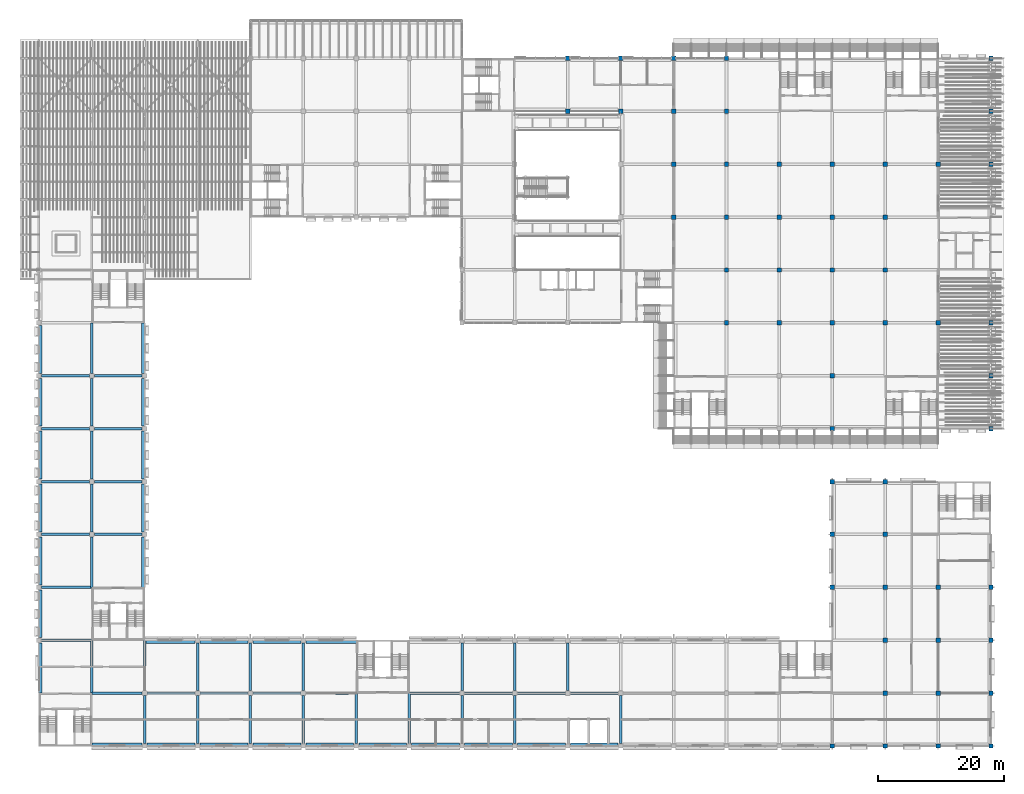
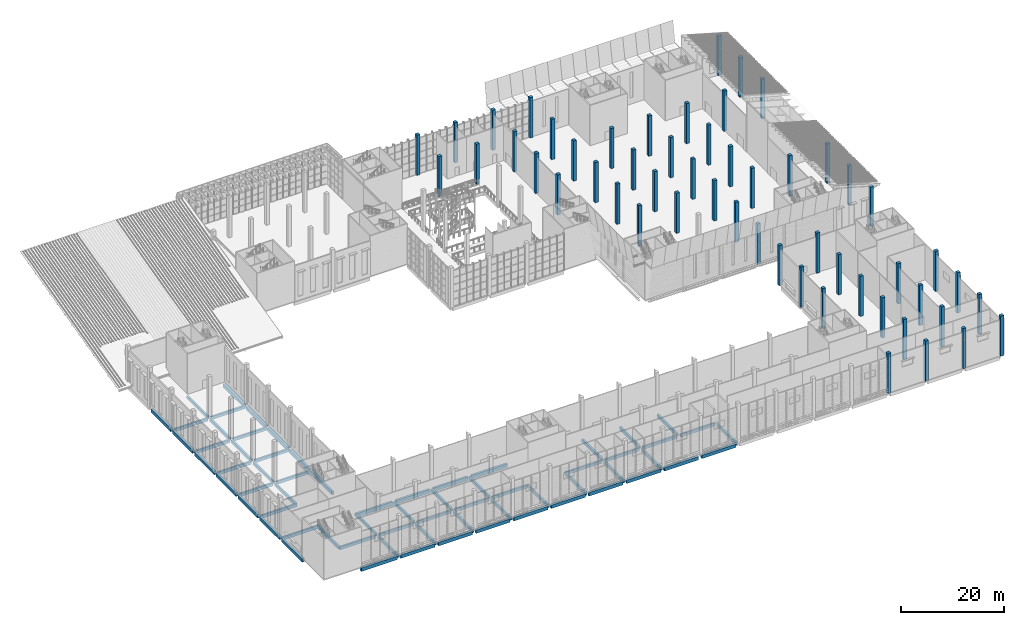
# One storey, part 3 of 114: 67 beams, 54 columns.
"""IFC4 building model written with IfcOpenShell, lengths in metres."""

from ifc_helpers import new_model, si_unit, direction, frame, origin, origin_2d, place, context, subcontext, project, spatial, rectangle, extrude, material, material_profile, profile_set, type_object, element, save


model = new_model("IFC4")

# Units and contexts
model_context = context("Model", 3, precision=1e-05, world=origin(), true_north=direction((0.0, 1.0)))
body_context = subcontext(model_context, "Body", "Model", "MODEL_VIEW")
ifc_project = project(units=[si_unit("LENGTHUNIT", "METRE"), si_unit("AREAUNIT", "SQUARE_METRE"), si_unit("VOLUMEUNIT", "CUBIC_METRE"), si_unit("PLANEANGLEUNIT", "RADIAN"), si_unit("MASSUNIT", "GRAM", prefix="KILO")], contexts=[model_context])

# Site, building, storey
site_placement = place(None, origin())
site = spatial("IfcSite", under=ifc_project, at=site_placement, CompositionType="ELEMENT")
building_placement = place(site_placement, origin())
building = spatial("IfcBuilding", under=site, at=building_placement, Name="Almond Square Museum", CompositionType="ELEMENT")
storey_placement = place(building_placement, frame((0.0, 0.0, 10.5)))
storey = spatial("IfcBuildingStorey", under=building, at=storey_placement, Name="L02", CompositionType="ELEMENT", Elevation=10.5)

# Columns
ifc_material_1 = material(Name="Concrete C40/50", Category="concrete")
ifc_material_profile_1 = material_profile(ifc_material_1, rectangle(XDim=0.699951171875, YDim=0.699951171875, at=origin_2d()))
ifc_profile_set_1 = profile_set([ifc_material_profile_1], Name="Concrete C40/50")
column_type = type_object("IfcColumnType", Name="RC column 700 x 700 C40/50", PredefinedType="COLUMN", material=ifc_profile_set_1)
for number, where, z_axis, x_axis, name in (
    (1, (90.0, 100.800048828125, 0.0), (0.0, 0.0, 1.0), (1.0, 0.0, 0.0), "Column 12-M L02"),
    (2, (90.0, 109.199951171875, 0.0), (0.0, 0.0, 1.0), (1.0, 0.0, 0.0), "Column 12-N L02"),
    (3, (98.39990234375, 100.800048828125, 0.0), (0.0, 0.0, 1.0), (1.0, 0.0, 0.0), "Column 13-M L02"),
    (4, (98.39990234375, 109.199951171875, 0.0), (0.0, 0.0, 1.0), (1.0, 0.0, 0.0), "Column 13-N L02"),
    (5, (106.800048828125, 84.0, 0.0), (0.0, 0.0, 1.0), (1.0, 0.0, 0.0), "Column 14-K L02"),
    (6, (106.800048828125, 92.39990234375, 0.0), (0.0, 0.0, 1.0), (1.0, 0.0, 0.0), "Column 14-L L02"),
    (7, (106.800048828125, 100.800048828125, 0.0), (0.0, 0.0, 1.0), (1.0, 0.0, 0.0), "Column 14-M L02"),
    (8, (106.800048828125, 109.199951171875, 0.0), (0.0, 0.0, 1.0), (1.0, 0.0, 0.0), "Column 14-N L02"),
    (9, (115.199951171875, 67.199951171875, 0.0), (0.0, 0.0, 1.0), (1.0, 0.0, 0.0), "Column 15-I L02"),
    (10, (115.199951171875, 75.60009765625, 0.0), (0.0, 0.0, 1.0), (1.0, 0.0, 0.0), "Column 15-J L02"),
    (11, (115.199951171875, 84.0, 0.0), (0.0, 0.0, 1.0), (1.0, 0.0, 0.0), "Column 15-K L02"),
    (12, (115.199951171875, 92.39990234375, 0.0), (0.0, 0.0, 1.0), (1.0, 0.0, 0.0), "Column 15-L L02"),
    (13, (115.199951171875, 100.800048828125, 0.0), (0.0, 0.0, 1.0), (1.0, 0.0, 0.0), "Column 15-M L02"),
    (14, (115.199951171875, 109.199951171875, 0.0), (0.0, 0.0, 1.0), (1.0, 0.0, 0.0), "Column 15-N L02"),
    (15, (123.60009765625, 67.199951171875, 0.0), (0.0, 0.0, 1.0), (1.0, 0.0, 0.0), "Column 16-I L02"),
    (16, (123.60009765625, 75.60009765625, 0.0), (0.0, 0.0, 1.0), (1.0, 0.0, 0.0), "Column 16-J L02"),
    (17, (123.60009765625, 84.0, 0.0), (0.0, 0.0, 1.0), (1.0, 0.0, 0.0), "Column 16-K L02"),
    (18, (123.60009765625, 92.39990234375, 0.0), (0.0, 0.0, 1.0), (1.0, 0.0, 0.0), "Column 16-L L02"),
    (19, (132.0, 0.0, 0.0), (0.0, 0.0, 1.0), (1.0, 0.0, 0.0), "Column 17-A L02"),
    (20, (132.0, 25.199951171875, 0.0), (0.0, 0.0, 1.0), (1.0, 0.0, 0.0), "Column 17-D L02"),
    (21, (132.0, 33.60009765625, 0.0), (0.0, 0.0, 1.0), (1.0, 0.0, 0.0), "Column 17-E L02"),
    (22, (132.0, 42.0, 0.0), (0.0, 0.0, 1.0), (1.0, 0.0, 0.0), "Column 17-F L02"),
    (23, (132.0, 50.39990234375, 0.0), (0.0, 0.0, 1.0), (1.0, 0.0, 0.0), "Column 17-G L02"),
    (24, (132.0, 58.800048828125, 0.0), (0.0, 0.0, 1.0), (1.0, 0.0, 0.0), "Column 17-H L02"),
    (25, (132.0, 67.199951171875, 0.0), (0.0, 0.0, 1.0), (1.0, 0.0, 0.0), "Column 17-I L02"),
    (26, (132.0, 75.60009765625, 0.0), (0.0, 0.0, 1.0), (1.0, 0.0, 0.0), "Column 17-J L02"),
    (27, (132.0, 84.0, 0.0), (0.0, 0.0, 1.0), (1.0, 0.0, 0.0), "Column 17-K L02"),
    (28, (132.0, 92.39990234375, 0.0), (0.0, 0.0, 1.0), (1.0, 0.0, 0.0), "Column 17-L L02"),
    (29, (140.39990234375, 0.0, 0.0), (0.0, 0.0, 1.0), (1.0, 0.0, 0.0), "Column 18-A L02"),
    (30, (140.39990234375, 8.39990234375, 0.0), (0.0, 0.0, 1.0), (1.0, 0.0, 0.0), "Column 18-B L02"),
    (31, (140.39990234375, 16.800048828125, 0.0), (0.0, 0.0, 1.0), (1.0, 0.0, 0.0), "Column 18-C L02"),
    (32, (140.39990234375, 25.199951171875, 0.0), (0.0, 0.0, 1.0), (1.0, 0.0, 0.0), "Column 18-D L02"),
    (33, (140.39990234375, 33.60009765625, 0.0), (0.0, 0.0, 1.0), (1.0, 0.0, 0.0), "Column 18-E L02"),
    (34, (140.39990234375, 42.0, 0.0), (0.0, 0.0, 1.0), (1.0, 0.0, 0.0), "Column 18-F L02"),
    (35, (140.39990234375, 67.199951171875, 0.0), (0.0, 0.0, 1.0), (1.0, 0.0, 0.0), "Column 18-I L02"),
    (36, (140.39990234375, 75.60009765625, 0.0), (0.0, 0.0, 1.0), (1.0, 0.0, 0.0), "Column 18-J L02"),
    (37, (140.39990234375, 84.0, 0.0), (0.0, 0.0, 1.0), (1.0, 0.0, 0.0), "Column 18-K L02"),
    (38, (140.39990234375, 92.39990234375, 0.0), (0.0, 0.0, 1.0), (1.0, 0.0, 0.0), "Column 18-L L02"),
    (39, (148.800048828125, 0.0, 0.0), (0.0, 0.0, 1.0), (1.0, 0.0, 0.0), "Column 19-A L02"),
    (40, (148.800048828125, 8.39990234375, 0.0), (0.0, 0.0, 1.0), (1.0, 0.0, 0.0), "Column 19-B L02"),
    (41, (148.800048828125, 16.800048828125, 0.0), (0.0, 0.0, 1.0), (1.0, 0.0, 0.0), "Column 19-C L02"),
    (42, (148.800048828125, 25.199951171875, 0.0), (0.0, 0.0, 1.0), (1.0, 0.0, 0.0), "Column 19-D L02"),
    (43, (148.800048828125, 67.199951171875, 0.0), (0.0, 0.0, 1.0), (1.0, 0.0, 0.0), "Column 19-I L02"),
    (44, (148.800048828125, 92.39990234375, 0.0), (0.0, 0.0, 1.0), (1.0, 0.0, 0.0), "Column 19-L L02"),
    (45, (157.199951171875, 0.0, 0.0), (0.0, 0.0, 1.0), (1.0, 0.0, 0.0), "Column 20-A L02"),
    (46, (157.199951171875, 8.39990234375, 0.0), (0.0, 0.0, 1.0), (1.0, 0.0, 0.0), "Column 20-B L02"),
    (47, (157.199951171875, 16.800048828125, 0.0), (0.0, 0.0, 1.0), (1.0, 0.0, 0.0), "Column 20-C L02"),
    (48, (157.199951171875, 25.199951171875, 0.0), (0.0, 0.0, 1.0), (1.0, 0.0, 0.0), "Column 20-D L02"),
):
    element("IfcColumn", number, at=place(storey_placement, frame(where, z_axis=z_axis, x_axis=x_axis)), inside=storey, type_object=column_type, Name=name, PredefinedType="COLUMN", context=body_context, shape_type="SweptSolid", body=[
        extrude(rectangle(XDim=0.699951171875, YDim=0.699951171875, at=origin_2d()), origin(), (0.0, 0.0, 1.0), 9.5),
    ])
for number, where, z_axis, x_axis, name in (
    (49, (157.199951171875, 50.39990234375, 0.0), (0.0, 0.0, 1.0), (1.0, 0.0, 0.0), "Column 20-G L02"),
    (50, (157.199951171875, 58.800048828125, 0.0), (0.0, 0.0, 1.0), (1.0, 0.0, 0.0), "Column 20-H L02"),
    (51, (157.199951171875, 67.199951171875, 0.0), (0.0, 0.0, 1.0), (1.0, 0.0, 0.0), "Column 20-I L02"),
    (52, (157.199951171875, 92.39990234375, 0.0), (0.0, 0.0, 1.0), (1.0, 0.0, 0.0), "Column 20-L L02"),
    (53, (157.199951171875, 100.800048828125, 0.0), (0.0, 0.0, 1.0), (1.0, 0.0, 0.0), "Column 20-M L02"),
    (54, (157.199951171875, 109.199951171875, 0.0), (0.0, 0.0, 1.0), (1.0, 0.0, 0.0), "Column 20-N L02"),
):
    element("IfcColumn", number, at=place(storey_placement, frame(where, z_axis=z_axis, x_axis=x_axis)), inside=storey, type_object=column_type, Name=name, PredefinedType="COLUMN", context=body_context, shape_type="SweptSolid", body=[
        extrude(rectangle(XDim=0.699951171875, YDim=0.699951171875, at=origin_2d()), origin(), (0.0, 0.0, 1.0), 9.342529296875),
    ])

# Beams
ifc_material_2 = material(Name="Concrete C40/50", Category="concrete")
ifc_material_profile_2 = material_profile(ifc_material_2, rectangle(XDim=0.39990234375, YDim=0.699951171875, at=origin_2d()))
ifc_profile_set_2 = profile_set([ifc_material_profile_2], Name="Concrete C40/50")
beam_type_1 = type_object("IfcBeamType", Name="RC beam 400 x 700 C40/50", PredefinedType="BEAM", material=ifc_profile_set_2)
beam_1_placement = place(storey_placement, frame((14.39990234375, 8.39990234375, -0.60009765625), z_axis=(1.0, 0.0, 0.0), x_axis=(0.0, 1.0, 0.0)))
element("IfcBeam", 55, at=beam_1_placement, inside=storey, type_object=beam_type_1, Name="Beam B 3-4 L02", PredefinedType="BEAM", context=body_context, shape_type="SweptSolid", body=[
    extrude(rectangle(XDim=0.39990234375, YDim=0.699951171875, at=origin_2d()), origin(), (0.0, 0.0, 1.0), 8.0),
])
beam_2_placement = place(storey_placement, frame((23.199951171875, 8.39990234375, -0.60009765625), z_axis=(1.0, 0.0, 0.0), x_axis=(0.0, 1.0, 0.0)))
element("IfcBeam", 56, at=beam_2_placement, inside=storey, type_object=beam_type_1, Name="Beam B 4-5 L02", PredefinedType="BEAM", context=body_context, shape_type="SweptSolid", body=[
    extrude(rectangle(XDim=0.39990234375, YDim=0.699951171875, at=origin_2d()), origin(), (0.0, 0.0, 1.0), 7.60009765625),
])
beam_3_placement = place(storey_placement, frame((31.60009765625, 8.39990234375, -0.60009765625), z_axis=(1.0, 0.0, 0.0), x_axis=(0.0, 1.0, 0.0)))
element("IfcBeam", 57, at=beam_3_placement, inside=storey, type_object=beam_type_1, Name="Beam B 5-6 L02", PredefinedType="BEAM", context=body_context, shape_type="SweptSolid", body=[
    extrude(rectangle(XDim=0.39990234375, YDim=0.699951171875, at=origin_2d()), origin(), (0.0, 0.0, 1.0), 7.599853515625),
])
beam_4_placement = place(storey_placement, frame((40.0, 8.39990234375, -0.60009765625), z_axis=(1.0, 0.0, 0.0), x_axis=(0.0, 1.0, 0.0)))
element("IfcBeam", 58, at=beam_4_placement, inside=storey, type_object=beam_type_1, Name="Beam B 6-7 L02", PredefinedType="BEAM", context=body_context, shape_type="SweptSolid", body=[
    extrude(rectangle(XDim=0.39990234375, YDim=0.699951171875, at=origin_2d()), origin(), (0.0, 0.0, 1.0), 7.60009765625),
])
for number, where, z_axis, x_axis, name in (
    (59, (48.39990234375, 8.39990234375, -0.60009765625), (1.0, 0.0, 0.0), (0.0, 1.0, 0.0), "Beam B 7-8 L02"),
    (60, (64.800048828125, 8.39990234375, -0.60009765625), (1.0, 0.0, 0.0), (0.0, 1.0, 0.0), "Beam B 9-10 L02"),
):
    element("IfcBeam", number, at=place(storey_placement, frame(where, z_axis=z_axis, x_axis=x_axis)), inside=storey, type_object=beam_type_1, Name=name, PredefinedType="BEAM", context=body_context, shape_type="SweptSolid", body=[
        extrude(rectangle(XDim=0.39990234375, YDim=0.699951171875, at=origin_2d()), origin(), (0.0, 0.0, 1.0), 8.0),
    ])
beam_5_placement = place(storey_placement, frame((73.60009765625, 8.39990234375, -0.60009765625), z_axis=(1.0, 0.0, 0.0), x_axis=(0.0, 1.0, 0.0)))
element("IfcBeam", 61, at=beam_5_placement, inside=storey, type_object=beam_type_1, Name="Beam B 10-11 L02", PredefinedType="BEAM", context=body_context, shape_type="SweptSolid", body=[
    extrude(rectangle(XDim=0.39990234375, YDim=0.699951171875, at=origin_2d()), origin(), (0.0, 0.0, 1.0), 7.599853515625),
])
for number, where, z_axis, x_axis, name in (
    (62, (82.0, 8.39990234375, -0.60009765625), (1.0, 0.0, 0.0), (0.0, 1.0, 0.0), "Beam B 11-12 L02"),
    (63, (90.39990234375, 8.39990234375, -0.60009765625), (1.0, 0.0, 0.0), (0.0, 1.0, 0.0), "Beam B 12-13 L02"),
):
    element("IfcBeam", number, at=place(storey_placement, frame(where, z_axis=z_axis, x_axis=x_axis)), inside=storey, type_object=beam_type_1, Name=name, PredefinedType="BEAM", context=body_context, shape_type="SweptSolid", body=[
        extrude(rectangle(XDim=0.39990234375, YDim=0.699951171875, at=origin_2d()), origin(), (0.0, 0.0, 1.0), 7.60009765625),
    ])
for number, where, z_axis, x_axis, name in (
    (64, (6.39990234375, 16.800048828125, -0.60009765625), (1.0, 0.0, 0.0), (0.0, 1.0, 0.0), "Beam C 2-3 L02"),
    (65, (6.39990234375, 25.199951171875, -0.60009765625), (1.0, 0.0, 0.0), (0.0, 1.0, 0.0), "Beam D 2-3 L02"),
):
    element("IfcBeam", number, at=place(storey_placement, frame(where, z_axis=z_axis, x_axis=x_axis)), inside=storey, type_object=beam_type_1, Name=name, PredefinedType="BEAM", context=body_context, shape_type="SweptSolid", body=[
        extrude(rectangle(XDim=0.39990234375, YDim=0.699951171875, at=origin_2d()), origin(), (0.0, 0.0, 1.0), 8.0),
    ])
beam_6_placement = place(storey_placement, frame((6.39990234375, 33.60009765625, -0.60009765625), z_axis=(1.0, 0.0, 0.0), x_axis=(0.0, 1.0, 0.0)))
element("IfcBeam", 66, at=beam_6_placement, inside=storey, type_object=beam_type_1, Name="Beam E 2-3 L02", PredefinedType="BEAM", context=body_context, shape_type="SweptSolid", body=[
    extrude(rectangle(XDim=0.39990234375, YDim=0.699951171875, at=origin_2d()), origin(), (0.0, 0.0, 1.0), 7.60009765625),
])
beam_7_placement = place(storey_placement, frame((14.800048828125, 33.60009765625, -0.60009765625), z_axis=(1.0, 0.0, 0.0), x_axis=(0.0, 1.0, 0.0)))
element("IfcBeam", 67, at=beam_7_placement, inside=storey, type_object=beam_type_1, Name="Beam E 3-4 L02", PredefinedType="BEAM", context=body_context, shape_type="SweptSolid", body=[
    extrude(rectangle(XDim=0.39990234375, YDim=0.699951171875, at=origin_2d()), origin(), (0.0, 0.0, 1.0), 7.599853515625),
])
beam_8_placement = place(storey_placement, frame((6.39990234375, 42.0, -0.60009765625), z_axis=(1.0, 0.0, 0.0), x_axis=(0.0, 1.0, 0.0)))
element("IfcBeam", 68, at=beam_8_placement, inside=storey, type_object=beam_type_1, Name="Beam F 2-3 L02", PredefinedType="BEAM", context=body_context, shape_type="SweptSolid", body=[
    extrude(rectangle(XDim=0.39990234375, YDim=0.699951171875, at=origin_2d()), origin(), (0.0, 0.0, 1.0), 7.60009765625),
])
beam_9_placement = place(storey_placement, frame((14.800048828125, 42.0, -0.60009765625), z_axis=(1.0, 0.0, 0.0), x_axis=(0.0, 1.0, 0.0)))
element("IfcBeam", 69, at=beam_9_placement, inside=storey, type_object=beam_type_1, Name="Beam F 3-4 L02", PredefinedType="BEAM", context=body_context, shape_type="SweptSolid", body=[
    extrude(rectangle(XDim=0.39990234375, YDim=0.699951171875, at=origin_2d()), origin(), (0.0, 0.0, 1.0), 7.599853515625),
])
beam_10_placement = place(storey_placement, frame((6.39990234375, 50.39990234375, -0.60009765625), z_axis=(1.0, 0.0, 0.0), x_axis=(0.0, 1.0, 0.0)))
element("IfcBeam", 70, at=beam_10_placement, inside=storey, type_object=beam_type_1, Name="Beam G 2-3 L02", PredefinedType="BEAM", context=body_context, shape_type="SweptSolid", body=[
    extrude(rectangle(XDim=0.39990234375, YDim=0.699951171875, at=origin_2d()), origin(), (0.0, 0.0, 1.0), 7.60009765625),
])
beam_11_placement = place(storey_placement, frame((14.800048828125, 50.39990234375, -0.60009765625), z_axis=(1.0, 0.0, 0.0), x_axis=(0.0, 1.0, 0.0)))
element("IfcBeam", 71, at=beam_11_placement, inside=storey, type_object=beam_type_1, Name="Beam G 3-4 L02", PredefinedType="BEAM", context=body_context, shape_type="SweptSolid", body=[
    extrude(rectangle(XDim=0.39990234375, YDim=0.699951171875, at=origin_2d()), origin(), (0.0, 0.0, 1.0), 7.599853515625),
])
beam_12_placement = place(storey_placement, frame((6.39990234375, 58.800048828125, -0.60009765625), z_axis=(1.0, 0.0, 0.0), x_axis=(0.0, 1.0, 0.0)))
element("IfcBeam", 72, at=beam_12_placement, inside=storey, type_object=beam_type_1, Name="Beam H 2-3 L02", PredefinedType="BEAM", context=body_context, shape_type="SweptSolid", body=[
    extrude(rectangle(XDim=0.39990234375, YDim=0.699951171875, at=origin_2d()), origin(), (0.0, 0.0, 1.0), 7.60009765625),
])
beam_13_placement = place(storey_placement, frame((14.800048828125, 58.800048828125, -0.60009765625), z_axis=(1.0, 0.0, 0.0), x_axis=(0.0, 1.0, 0.0)))
element("IfcBeam", 73, at=beam_13_placement, inside=storey, type_object=beam_type_1, Name="Beam H 3-4 L02", PredefinedType="BEAM", context=body_context, shape_type="SweptSolid", body=[
    extrude(rectangle(XDim=0.39990234375, YDim=0.699951171875, at=origin_2d()), origin(), (0.0, 0.0, 1.0), 7.599853515625),
])
beam_14_placement = place(storey_placement, frame((14.39990234375, 8.39990234375, -0.60009765625), z_axis=(0.0, 1.0, 0.0), x_axis=(-1.0, 0.0, 0.0)))
element("IfcBeam", 74, at=beam_14_placement, inside=storey, type_object=beam_type_1, Name="Beam 3 B-C L02", PredefinedType="BEAM", context=body_context, shape_type="SweptSolid", body=[
    extrude(rectangle(XDim=0.39990234375, YDim=0.699951171875, at=origin_2d()), origin(), (0.0, 0.0, 1.0), 8.400146484375),
])
beam_15_placement = place(storey_placement, frame((14.39990234375, 25.199951171875, -0.60009765625), z_axis=(0.0, 1.0, 0.0), x_axis=(-1.0, 0.0, 0.0)))
element("IfcBeam", 75, at=beam_15_placement, inside=storey, type_object=beam_type_1, Name="Beam 3 D-E L02", PredefinedType="BEAM", context=body_context, shape_type="SweptSolid", body=[
    extrude(rectangle(XDim=0.39990234375, YDim=0.699951171875, at=origin_2d()), origin(), (0.0, 0.0, 1.0), 8.0),
])
for number, where, z_axis, x_axis, name in (
    (76, (14.39990234375, 34.0, -0.60009765625), (0.0, 1.0, 0.0), (-1.0, 0.0, 0.0), "Beam 3 E-F L02"),
    (77, (14.39990234375, 42.39990234375, -0.60009765625), (0.0, 1.0, 0.0), (-1.0, 0.0, 0.0), "Beam 3 F-G L02"),
):
    element("IfcBeam", number, at=place(storey_placement, frame(where, z_axis=z_axis, x_axis=x_axis)), inside=storey, type_object=beam_type_1, Name=name, PredefinedType="BEAM", context=body_context, shape_type="SweptSolid", body=[
        extrude(rectangle(XDim=0.39990234375, YDim=0.699951171875, at=origin_2d()), origin(), (0.0, 0.0, 1.0), 7.60009765625),
    ])
beam_16_placement = place(storey_placement, frame((14.39990234375, 50.800048828125, -0.60009765625), z_axis=(0.0, 1.0, 0.0), x_axis=(-1.0, 0.0, 0.0)))
element("IfcBeam", 78, at=beam_16_placement, inside=storey, type_object=beam_type_1, Name="Beam 3 G-H L02", PredefinedType="BEAM", context=body_context, shape_type="SweptSolid", body=[
    extrude(rectangle(XDim=0.39990234375, YDim=0.699951171875, at=origin_2d()), origin(), (0.0, 0.0, 1.0), 7.599853515625),
])
beam_17_placement = place(storey_placement, frame((14.39990234375, 59.199951171875, -0.60009765625), z_axis=(0.0, 1.0, 0.0), x_axis=(-1.0, 0.0, 0.0)))
element("IfcBeam", 79, at=beam_17_placement, inside=storey, type_object=beam_type_1, Name="Beam 3 H-I L02", PredefinedType="BEAM", context=body_context, shape_type="SweptSolid", body=[
    extrude(rectangle(XDim=0.39990234375, YDim=0.699951171875, at=origin_2d()), origin(), (0.0, 0.0, 1.0), 8.0),
])
beam_18_placement = place(storey_placement, frame((22.800048828125, 0.39990234375, -0.60009765625), z_axis=(0.0, 1.0, 0.0), x_axis=(-1.0, 0.0, 0.0)))
element("IfcBeam", 80, at=beam_18_placement, inside=storey, type_object=beam_type_1, Name="Beam 4 A-B L02", PredefinedType="BEAM", context=body_context, shape_type="SweptSolid", body=[
    extrude(rectangle(XDim=0.39990234375, YDim=0.699951171875, at=origin_2d()), origin(), (0.0, 0.0, 1.0), 7.60009765625),
])
beam_19_placement = place(storey_placement, frame((22.800048828125, 8.800048828125, -0.60009765625), z_axis=(0.0, 1.0, 0.0), x_axis=(-1.0, 0.0, 0.0)))
element("IfcBeam", 81, at=beam_19_placement, inside=storey, type_object=beam_type_1, Name="Beam 4 B-C L02", PredefinedType="BEAM", context=body_context, shape_type="SweptSolid", body=[
    extrude(rectangle(XDim=0.39990234375, YDim=0.699951171875, at=origin_2d()), origin(), (0.0, 0.0, 1.0), 8.0),
])
beam_20_placement = place(storey_placement, frame((31.199951171875, 0.39990234375, -0.60009765625), z_axis=(0.0, 1.0, 0.0), x_axis=(-1.0, 0.0, 0.0)))
element("IfcBeam", 82, at=beam_20_placement, inside=storey, type_object=beam_type_1, Name="Beam 5 A-B L02", PredefinedType="BEAM", context=body_context, shape_type="SweptSolid", body=[
    extrude(rectangle(XDim=0.39990234375, YDim=0.699951171875, at=origin_2d()), origin(), (0.0, 0.0, 1.0), 7.60009765625),
])
beam_21_placement = place(storey_placement, frame((31.199951171875, 8.800048828125, -0.60009765625), z_axis=(0.0, 1.0, 0.0), x_axis=(-1.0, 0.0, 0.0)))
element("IfcBeam", 83, at=beam_21_placement, inside=storey, type_object=beam_type_1, Name="Beam 5 B-C L02", PredefinedType="BEAM", context=body_context, shape_type="SweptSolid", body=[
    extrude(rectangle(XDim=0.39990234375, YDim=0.699951171875, at=origin_2d()), origin(), (0.0, 0.0, 1.0), 7.599853515625),
])
beam_22_placement = place(storey_placement, frame((39.60009765625, 0.39990234375, -0.60009765625), z_axis=(0.0, 1.0, 0.0), x_axis=(-1.0, 0.0, 0.0)))
element("IfcBeam", 84, at=beam_22_placement, inside=storey, type_object=beam_type_1, Name="Beam 6 A-B L02", PredefinedType="BEAM", context=body_context, shape_type="SweptSolid", body=[
    extrude(rectangle(XDim=0.39990234375, YDim=0.699951171875, at=origin_2d()), origin(), (0.0, 0.0, 1.0), 7.60009765625),
])
beam_23_placement = place(storey_placement, frame((39.60009765625, 8.800048828125, -0.60009765625), z_axis=(0.0, 1.0, 0.0), x_axis=(-1.0, 0.0, 0.0)))
element("IfcBeam", 85, at=beam_23_placement, inside=storey, type_object=beam_type_1, Name="Beam 6 B-C L02", PredefinedType="BEAM", context=body_context, shape_type="SweptSolid", body=[
    extrude(rectangle(XDim=0.39990234375, YDim=0.699951171875, at=origin_2d()), origin(), (0.0, 0.0, 1.0), 7.599853515625),
])
beam_24_placement = place(storey_placement, frame((48.0, 0.39990234375, -0.60009765625), z_axis=(0.0, 1.0, 0.0), x_axis=(-1.0, 0.0, 0.0)))
element("IfcBeam", 86, at=beam_24_placement, inside=storey, type_object=beam_type_1, Name="Beam 7 A-B L02", PredefinedType="BEAM", context=body_context, shape_type="SweptSolid", body=[
    extrude(rectangle(XDim=0.39990234375, YDim=0.699951171875, at=origin_2d()), origin(), (0.0, 0.0, 1.0), 7.60009765625),
])
beam_25_placement = place(storey_placement, frame((48.0, 8.800048828125, -0.60009765625), z_axis=(0.0, 1.0, 0.0), x_axis=(-1.0, 0.0, 0.0)))
element("IfcBeam", 87, at=beam_25_placement, inside=storey, type_object=beam_type_1, Name="Beam 7 B-C L02", PredefinedType="BEAM", context=body_context, shape_type="SweptSolid", body=[
    extrude(rectangle(XDim=0.39990234375, YDim=0.699951171875, at=origin_2d()), origin(), (0.0, 0.0, 1.0), 7.599853515625),
])
for number, where, z_axis, x_axis, name in (
    (88, (56.39990234375, 0.39990234375, -0.60009765625), (0.0, 1.0, 0.0), (-1.0, 0.0, 0.0), "Beam 8 A-B L02"),
    (89, (64.800048828125, 0.39990234375, -0.60009765625), (0.0, 1.0, 0.0), (-1.0, 0.0, 0.0), "Beam 9 A-B L02"),
):
    element("IfcBeam", number, at=place(storey_placement, frame(where, z_axis=z_axis, x_axis=x_axis)), inside=storey, type_object=beam_type_1, Name=name, PredefinedType="BEAM", context=body_context, shape_type="SweptSolid", body=[
        extrude(rectangle(XDim=0.39990234375, YDim=0.699951171875, at=origin_2d()), origin(), (0.0, 0.0, 1.0), 8.0),
    ])
beam_26_placement = place(storey_placement, frame((73.199951171875, 0.39990234375, -0.60009765625), z_axis=(0.0, 1.0, 0.0), x_axis=(-1.0, 0.0, 0.0)))
element("IfcBeam", 90, at=beam_26_placement, inside=storey, type_object=beam_type_1, Name="Beam 10 A-B L02", PredefinedType="BEAM", context=body_context, shape_type="SweptSolid", body=[
    extrude(rectangle(XDim=0.39990234375, YDim=0.699951171875, at=origin_2d()), origin(), (0.0, 0.0, 1.0), 7.60009765625),
])
beam_27_placement = place(storey_placement, frame((73.199951171875, 8.800048828125, -0.60009765625), z_axis=(0.0, 1.0, 0.0), x_axis=(-1.0, 0.0, 0.0)))
element("IfcBeam", 91, at=beam_27_placement, inside=storey, type_object=beam_type_1, Name="Beam 10 B-C L02", PredefinedType="BEAM", context=body_context, shape_type="SweptSolid", body=[
    extrude(rectangle(XDim=0.39990234375, YDim=0.699951171875, at=origin_2d()), origin(), (0.0, 0.0, 1.0), 7.599853515625),
])
beam_28_placement = place(storey_placement, frame((81.60009765625, 0.39990234375, -0.60009765625), z_axis=(0.0, 1.0, 0.0), x_axis=(-1.0, 0.0, 0.0)))
element("IfcBeam", 92, at=beam_28_placement, inside=storey, type_object=beam_type_1, Name="Beam 11 A-B L02", PredefinedType="BEAM", context=body_context, shape_type="SweptSolid", body=[
    extrude(rectangle(XDim=0.39990234375, YDim=0.699951171875, at=origin_2d()), origin(), (0.0, 0.0, 1.0), 7.60009765625),
])
for number, where, z_axis, x_axis, name in (
    (93, (81.60009765625, 8.800048828125, -0.60009765625), (0.0, 1.0, 0.0), (-1.0, 0.0, 0.0), "Beam 11 B-C L02"),
    (94, (90.0, 8.800048828125, -0.60009765625), (0.0, 1.0, 0.0), (-1.0, 0.0, 0.0), "Beam 12 B-C L02"),
):
    element("IfcBeam", number, at=place(storey_placement, frame(where, z_axis=z_axis, x_axis=x_axis)), inside=storey, type_object=beam_type_1, Name=name, PredefinedType="BEAM", context=body_context, shape_type="SweptSolid", body=[
        extrude(rectangle(XDim=0.39990234375, YDim=0.699951171875, at=origin_2d()), origin(), (0.0, 0.0, 1.0), 7.599853515625),
    ])
beam_29_placement = place(storey_placement, frame((98.39990234375, 0.39990234375, -0.60009765625), z_axis=(0.0, 1.0, 0.0), x_axis=(-1.0, 0.0, 0.0)))
element("IfcBeam", 95, at=beam_29_placement, inside=storey, type_object=beam_type_1, Name="Beam 13 A-B L02", PredefinedType="BEAM", context=body_context, shape_type="SweptSolid", body=[
    extrude(rectangle(XDim=0.39990234375, YDim=0.699951171875, at=origin_2d()), origin(), (0.0, 0.0, 1.0), 7.60009765625),
])
ifc_material_3 = material(Name="Concrete C40/50", Category="concrete")
ifc_material_profile_3 = material_profile(ifc_material_3, rectangle(XDim=0.5, YDim=0.800048828125, at=origin_2d()))
ifc_profile_set_3 = profile_set([ifc_material_profile_3], Name="Concrete C40/50")
beam_type_2 = type_object("IfcBeamType", Name="RC edge beam 500 x 800 C40/50", PredefinedType="BEAM", material=ifc_profile_set_3)
beam_30_placement = place(storey_placement, frame((14.39990234375, 0.25, -0.64990234375), z_axis=(1.0, 0.0, 0.0), x_axis=(0.0, 1.0, 0.0)))
element("IfcBeam", 96, at=beam_30_placement, inside=storey, type_object=beam_type_2, Name="Edge beam A 3-4 L02", PredefinedType="BEAM", context=body_context, shape_type="SweptSolid", body=[
    extrude(rectangle(XDim=0.5, YDim=0.800048828125, at=origin_2d()), origin(), (0.0, 0.0, 1.0), 8.0),
])
beam_31_placement = place(storey_placement, frame((23.199951171875, 0.25, -0.64990234375), z_axis=(1.0, 0.0, 0.0), x_axis=(0.0, 1.0, 0.0)))
element("IfcBeam", 97, at=beam_31_placement, inside=storey, type_object=beam_type_2, Name="Edge beam A 4-5 L02", PredefinedType="BEAM", context=body_context, shape_type="SweptSolid", body=[
    extrude(rectangle(XDim=0.5, YDim=0.800048828125, at=origin_2d()), origin(), (0.0, 0.0, 1.0), 7.60009765625),
])
beam_32_placement = place(storey_placement, frame((31.60009765625, 0.25, -0.64990234375), z_axis=(1.0, 0.0, 0.0), x_axis=(0.0, 1.0, 0.0)))
element("IfcBeam", 98, at=beam_32_placement, inside=storey, type_object=beam_type_2, Name="Edge beam A 5-6 L02", PredefinedType="BEAM", context=body_context, shape_type="SweptSolid", body=[
    extrude(rectangle(XDim=0.5, YDim=0.800048828125, at=origin_2d()), origin(), (0.0, 0.0, 1.0), 7.599853515625),
])
for number, where, z_axis, x_axis, name in (
    (99, (40.0, 0.25, -0.64990234375), (1.0, 0.0, 0.0), (0.0, 1.0, 0.0), "Edge beam A 6-7 L02"),
    (100, (48.39990234375, 0.25, -0.64990234375), (1.0, 0.0, 0.0), (0.0, 1.0, 0.0), "Edge beam A 7-8 L02"),
):
    element("IfcBeam", number, at=place(storey_placement, frame(where, z_axis=z_axis, x_axis=x_axis)), inside=storey, type_object=beam_type_2, Name=name, PredefinedType="BEAM", context=body_context, shape_type="SweptSolid", body=[
        extrude(rectangle(XDim=0.5, YDim=0.800048828125, at=origin_2d()), origin(), (0.0, 0.0, 1.0), 7.60009765625),
    ])
beam_33_placement = place(storey_placement, frame((56.800048828125, 0.25, -0.64990234375), z_axis=(1.0, 0.0, 0.0), x_axis=(0.0, 1.0, 0.0)))
element("IfcBeam", 101, at=beam_33_placement, inside=storey, type_object=beam_type_2, Name="Edge beam A 8-9 L02", PredefinedType="BEAM", context=body_context, shape_type="SweptSolid", body=[
    extrude(rectangle(XDim=0.5, YDim=0.800048828125, at=origin_2d()), origin(), (0.0, 0.0, 1.0), 7.599853515625),
])
beam_34_placement = place(storey_placement, frame((65.199951171875, 0.25, -0.64990234375), z_axis=(1.0, 0.0, 0.0), x_axis=(0.0, 1.0, 0.0)))
element("IfcBeam", 102, at=beam_34_placement, inside=storey, type_object=beam_type_2, Name="Edge beam A 9-10 L02", PredefinedType="BEAM", context=body_context, shape_type="SweptSolid", body=[
    extrude(rectangle(XDim=0.5, YDim=0.800048828125, at=origin_2d()), origin(), (0.0, 0.0, 1.0), 7.60009765625),
])
beam_35_placement = place(storey_placement, frame((73.60009765625, 0.25, -0.64990234375), z_axis=(1.0, 0.0, 0.0), x_axis=(0.0, 1.0, 0.0)))
element("IfcBeam", 103, at=beam_35_placement, inside=storey, type_object=beam_type_2, Name="Edge beam A 10-11 L02", PredefinedType="BEAM", context=body_context, shape_type="SweptSolid", body=[
    extrude(rectangle(XDim=0.5, YDim=0.800048828125, at=origin_2d()), origin(), (0.0, 0.0, 1.0), 7.599853515625),
])
for number, where, z_axis, x_axis, name in (
    (104, (82.0, 0.25, -0.64990234375), (1.0, 0.0, 0.0), (0.0, 1.0, 0.0), "Edge beam A 11-12 L02"),
    (105, (90.39990234375, 0.25, -0.64990234375), (1.0, 0.0, 0.0), (0.0, 1.0, 0.0), "Edge beam A 12-13 L02"),
):
    element("IfcBeam", number, at=place(storey_placement, frame(where, z_axis=z_axis, x_axis=x_axis)), inside=storey, type_object=beam_type_2, Name=name, PredefinedType="BEAM", context=body_context, shape_type="SweptSolid", body=[
        extrude(rectangle(XDim=0.5, YDim=0.800048828125, at=origin_2d()), origin(), (0.0, 0.0, 1.0), 7.60009765625),
    ])
beam_36_placement = place(storey_placement, frame((22.800048828125, 16.550048828125, -0.64990234375), z_axis=(1.0, 0.0, 0.0), x_axis=(0.0, 1.0, 0.0)))
element("IfcBeam", 106, at=beam_36_placement, inside=storey, type_object=beam_type_2, Name="Edge beam C 4-5 L02", PredefinedType="BEAM", context=body_context, shape_type="SweptSolid", body=[
    extrude(rectangle(XDim=0.5, YDim=0.800048828125, at=origin_2d()), origin(), (0.0, 0.0, 1.0), 8.0),
])
beam_37_placement = place(storey_placement, frame((31.60009765625, 16.550048828125, -0.64990234375), z_axis=(1.0, 0.0, 0.0), x_axis=(0.0, 1.0, 0.0)))
element("IfcBeam", 107, at=beam_37_placement, inside=storey, type_object=beam_type_2, Name="Edge beam C 5-6 L02", PredefinedType="BEAM", context=body_context, shape_type="SweptSolid", body=[
    extrude(rectangle(XDim=0.5, YDim=0.800048828125, at=origin_2d()), origin(), (0.0, 0.0, 1.0), 7.599853515625),
])
beam_38_placement = place(storey_placement, frame((40.0, 16.550048828125, -0.64990234375), z_axis=(1.0, 0.0, 0.0), x_axis=(0.0, 1.0, 0.0)))
element("IfcBeam", 108, at=beam_38_placement, inside=storey, type_object=beam_type_2, Name="Edge beam C 6-7 L02", PredefinedType="BEAM", context=body_context, shape_type="SweptSolid", body=[
    extrude(rectangle(XDim=0.5, YDim=0.800048828125, at=origin_2d()), origin(), (0.0, 0.0, 1.0), 7.60009765625),
])
for number, where, z_axis, x_axis, name in (
    (109, (48.39990234375, 16.550048828125, -0.64990234375), (1.0, 0.0, 0.0), (0.0, 1.0, 0.0), "Edge beam C 7-8 L02"),
    (110, (6.25, 8.39990234375, -0.64990234375), (0.0, 1.0, 0.0), (-1.0, 0.0, 0.0), "Edge beam 2 B-C L02"),
):
    element("IfcBeam", number, at=place(storey_placement, frame(where, z_axis=z_axis, x_axis=x_axis)), inside=storey, type_object=beam_type_2, Name=name, PredefinedType="BEAM", context=body_context, shape_type="SweptSolid", body=[
        extrude(rectangle(XDim=0.5, YDim=0.800048828125, at=origin_2d()), origin(), (0.0, 0.0, 1.0), 8.0),
    ])
beam_39_placement = place(storey_placement, frame((6.25, 17.199951171875, -0.64990234375), z_axis=(0.0, 1.0, 0.0), x_axis=(-1.0, 0.0, 0.0)))
element("IfcBeam", 111, at=beam_39_placement, inside=storey, type_object=beam_type_2, Name="Edge beam 2 C-D L02", PredefinedType="BEAM", context=body_context, shape_type="SweptSolid", body=[
    extrude(rectangle(XDim=0.5, YDim=0.800048828125, at=origin_2d()), origin(), (0.0, 0.0, 1.0), 7.60009765625),
])
beam_40_placement = place(storey_placement, frame((6.25, 25.60009765625, -0.64990234375), z_axis=(0.0, 1.0, 0.0), x_axis=(-1.0, 0.0, 0.0)))
element("IfcBeam", 112, at=beam_40_placement, inside=storey, type_object=beam_type_2, Name="Edge beam 2 D-E L02", PredefinedType="BEAM", context=body_context, shape_type="SweptSolid", body=[
    extrude(rectangle(XDim=0.5, YDim=0.800048828125, at=origin_2d()), origin(), (0.0, 0.0, 1.0), 7.599853515625),
])
for number, where, z_axis, x_axis, name in (
    (113, (6.25, 34.0, -0.64990234375), (0.0, 1.0, 0.0), (-1.0, 0.0, 0.0), "Edge beam 2 E-F L02"),
    (114, (6.25, 42.39990234375, -0.64990234375), (0.0, 1.0, 0.0), (-1.0, 0.0, 0.0), "Edge beam 2 F-G L02"),
):
    element("IfcBeam", number, at=place(storey_placement, frame(where, z_axis=z_axis, x_axis=x_axis)), inside=storey, type_object=beam_type_2, Name=name, PredefinedType="BEAM", context=body_context, shape_type="SweptSolid", body=[
        extrude(rectangle(XDim=0.5, YDim=0.800048828125, at=origin_2d()), origin(), (0.0, 0.0, 1.0), 7.60009765625),
    ])
beam_41_placement = place(storey_placement, frame((6.25, 50.800048828125, -0.64990234375), z_axis=(0.0, 1.0, 0.0), x_axis=(-1.0, 0.0, 0.0)))
element("IfcBeam", 115, at=beam_41_placement, inside=storey, type_object=beam_type_2, Name="Edge beam 2 G-H L02", PredefinedType="BEAM", context=body_context, shape_type="SweptSolid", body=[
    extrude(rectangle(XDim=0.5, YDim=0.800048828125, at=origin_2d()), origin(), (0.0, 0.0, 1.0), 7.599853515625),
])
beam_42_placement = place(storey_placement, frame((6.25, 59.199951171875, -0.64990234375), z_axis=(0.0, 1.0, 0.0), x_axis=(-1.0, 0.0, 0.0)))
element("IfcBeam", 116, at=beam_42_placement, inside=storey, type_object=beam_type_2, Name="Edge beam 2 H-I L02", PredefinedType="BEAM", context=body_context, shape_type="SweptSolid", body=[
    extrude(rectangle(XDim=0.5, YDim=0.800048828125, at=origin_2d()), origin(), (0.0, 0.0, 1.0), 7.60009765625),
])
beam_43_placement = place(storey_placement, frame((22.550048828125, 25.199951171875, -0.64990234375), z_axis=(0.0, 1.0, 0.0), x_axis=(-1.0, 0.0, 0.0)))
element("IfcBeam", 117, at=beam_43_placement, inside=storey, type_object=beam_type_2, Name="Edge beam 4 D-E L02", PredefinedType="BEAM", context=body_context, shape_type="SweptSolid", body=[
    extrude(rectangle(XDim=0.5, YDim=0.800048828125, at=origin_2d()), origin(), (0.0, 0.0, 1.0), 8.0),
])
for number, where, z_axis, x_axis, name in (
    (118, (22.550048828125, 34.0, -0.64990234375), (0.0, 1.0, 0.0), (-1.0, 0.0, 0.0), "Edge beam 4 E-F L02"),
    (119, (22.550048828125, 42.39990234375, -0.64990234375), (0.0, 1.0, 0.0), (-1.0, 0.0, 0.0), "Edge beam 4 F-G L02"),
):
    element("IfcBeam", number, at=place(storey_placement, frame(where, z_axis=z_axis, x_axis=x_axis)), inside=storey, type_object=beam_type_2, Name=name, PredefinedType="BEAM", context=body_context, shape_type="SweptSolid", body=[
        extrude(rectangle(XDim=0.5, YDim=0.800048828125, at=origin_2d()), origin(), (0.0, 0.0, 1.0), 7.60009765625),
    ])
beam_44_placement = place(storey_placement, frame((22.550048828125, 50.800048828125, -0.64990234375), z_axis=(0.0, 1.0, 0.0), x_axis=(-1.0, 0.0, 0.0)))
element("IfcBeam", 120, at=beam_44_placement, inside=storey, type_object=beam_type_2, Name="Edge beam 4 G-H L02", PredefinedType="BEAM", context=body_context, shape_type="SweptSolid", body=[
    extrude(rectangle(XDim=0.5, YDim=0.800048828125, at=origin_2d()), origin(), (0.0, 0.0, 1.0), 7.599853515625),
])
beam_45_placement = place(storey_placement, frame((22.550048828125, 59.199951171875, -0.64990234375), z_axis=(0.0, 1.0, 0.0), x_axis=(-1.0, 0.0, 0.0)))
element("IfcBeam", 121, at=beam_45_placement, inside=storey, type_object=beam_type_2, Name="Edge beam 4 H-I L02", PredefinedType="BEAM", context=body_context, shape_type="SweptSolid", body=[
    extrude(rectangle(XDim=0.5, YDim=0.800048828125, at=origin_2d()), origin(), (0.0, 0.0, 1.0), 8.0),
])

save(model, "model.ifc")
